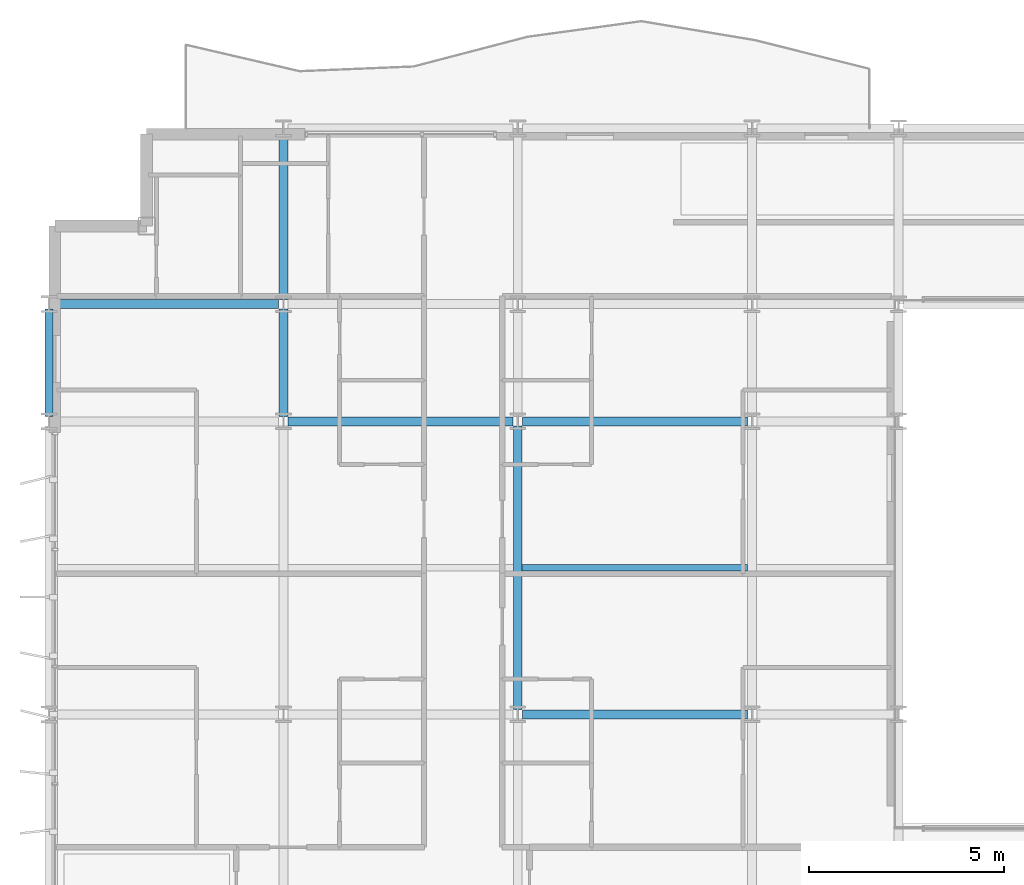
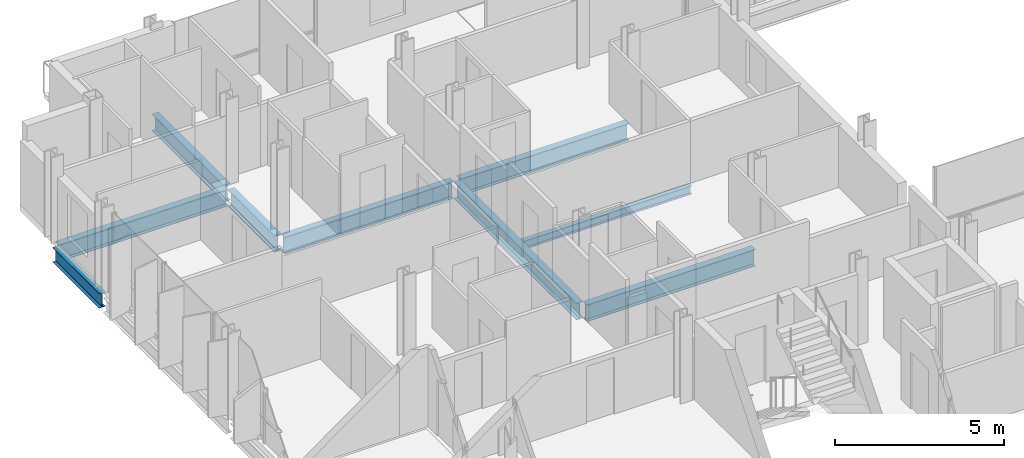
# One storey, part 6 of 39: 9 beams.
"""IFC4 building model written with IfcOpenShell, lengths in metres."""

from ifc_helpers import new_model, si_unit, direction, frame, origin, origin_2d, place, context, subcontext, project, spatial, i_section, extrude, material, material_profile, profile_set, type_object, element, save


model = new_model("IFC4")

# Units and contexts
model_context = context("Model", 3, precision=1e-05, world=origin(), true_north=direction((0.0, 1.0)))
body_context = subcontext(model_context, "Body", "Model", "MODEL_VIEW")
ifc_project = project(units=[si_unit("LENGTHUNIT", "METRE"), si_unit("AREAUNIT", "SQUARE_METRE"), si_unit("VOLUMEUNIT", "CUBIC_METRE"), si_unit("PLANEANGLEUNIT", "RADIAN"), si_unit("MASSUNIT", "GRAM", prefix="KILO")], contexts=[model_context])

# Site, building, storey
site_placement = place(None, origin())
site = spatial("IfcSite", under=ifc_project, at=site_placement, CompositionType="ELEMENT")
building_placement = place(site_placement, origin())
building = spatial("IfcBuilding", under=site, at=building_placement, Name="Brevholm Reach", CompositionType="ELEMENT")
storey_placement = place(building_placement, frame((0.0, 0.0, 109.699951171875)))
storey = spatial("IfcBuildingStorey", under=building, at=storey_placement, Name="L32", CompositionType="ELEMENT", Elevation=109.699951171875)

# Beams
ifc_material_1 = material(Name="Structural Steel S355J2", Category="steel")
ifc_material_profile_1 = material_profile(ifc_material_1, i_section(OverallWidth=0.1650390625, OverallDepth=0.303466796875, WebThickness=0.006103515625, FlangeThickness=0.01025390625, FilletRadius=0.0087890625, at=origin_2d()), Name="UKB 305x165x40")
ifc_profile_set_1 = profile_set([ifc_material_profile_1], Name="Structural Steel S355J2")
beam_type_1 = type_object("IfcBeamType", Name="BM-B305", PredefinedType="BEAM", material=ifc_profile_set_1)
beam_1_placement = place(storey_placement, frame((12.114501953125, 19.75, -0.37158203125), z_axis=(1.0, 0.0, 0.0), x_axis=(0.0, 1.0, 0.0)))
element("IfcBeam", 1, at=beam_1_placement, inside=storey, type_object=beam_type_1, Name="L32 Composite Secondary Floor Beam", PredefinedType="BEAM", context=body_context, shape_type="SweptSolid", body=[
    extrude(i_section(OverallWidth=0.1650390625, OverallDepth=0.303466796875, WebThickness=0.006103515625, FlangeThickness=0.01025390625, FilletRadius=0.0087890625, at=origin_2d()), origin(), (0.0, 0.0, 1.0), 5.77099609375),
])
ifc_material_2 = material(Name="Structural Steel S355J2", Category="steel")
ifc_material_profile_2 = material_profile(ifc_material_2, i_section(OverallWidth=0.209228515625, OverallDepth=0.533203125, WebThickness=0.010009765625, FlangeThickness=0.015625, FilletRadius=0.0126953125, at=origin_2d()), Name="UKB 533x210x92")
ifc_profile_set_2 = profile_set([ifc_material_profile_2], Name="Structural Steel S355J2")
beam_type_2 = type_object("IfcBeamType", Name="BM-SP533", PredefinedType="SPANDREL", material=ifc_profile_set_2)
beam_2_placement = place(storey_placement, frame((0.0, 23.6201171875, -0.486572265625), z_axis=(0.0, 1.0, 0.0), x_axis=(-1.0, 0.0, 0.0)))
element("IfcBeam", 2, at=beam_2_placement, inside=storey, type_object=beam_type_2, Name="L32 SP-02 Framing Beam", PredefinedType="SPANDREL", context=body_context, shape_type="SweptSolid", body=[
    extrude(i_section(OverallWidth=0.209228515625, OverallDepth=0.533203125, WebThickness=0.010009765625, FlangeThickness=0.015625, FilletRadius=0.0126953125, at=origin_2d()), origin(), (0.0, 0.0, 1.0), 2.759765625),
])
ifc_material_3 = material(Name="Structural Steel S355J2", Category="steel")
ifc_material_profile_3 = material_profile(ifc_material_3, i_section(OverallWidth=0.22900390625, OverallDepth=0.6123046875, WebThickness=0.011962890625, FlangeThickness=0.01953125, FilletRadius=0.0126953125, at=origin_2d()), Name="UKB 610x229x125")
ifc_profile_set_3 = profile_set([ifc_material_profile_3], Name="Structural Steel S355J2")
beam_type_3 = type_object("IfcBeamType", Name="BM-SP610", PredefinedType="SPANDREL", material=ifc_profile_set_3)
for number, where, z_axis, x_axis, name in (
    (3, (12.1201171875, 16.0, -0.526123046875), (1.0, 0.0, 0.0), (0.0, 1.0, 0.0), "L32 SP-01 Framing Beam"),
    (4, (6.1201171875, 23.5, -0.526123046875), (1.0, 0.0, 0.0), (0.0, 1.0, 0.0), "L32 SP-01 Framing Beam"),
    (5, (12.1201171875, 23.5, -0.526123046875), (1.0, 0.0, 0.0), (0.0, 1.0, 0.0), "L32 SP-01 Framing Beam"),
    (6, (0.1201171875, 26.5, -0.526123046875), (1.0, 0.0, 0.0), (0.0, 1.0, 0.0), "L32 SP-01 Framing Beam"),
):
    element("IfcBeam", number, at=place(storey_placement, frame(where, z_axis=z_axis, x_axis=x_axis)), inside=storey, type_object=beam_type_3, Name=name, PredefinedType="SPANDREL", context=body_context, shape_type="SweptSolid", body=[
        extrude(i_section(OverallWidth=0.22900390625, OverallDepth=0.6123046875, WebThickness=0.011962890625, FlangeThickness=0.01953125, FilletRadius=0.0126953125, at=origin_2d()), origin(), (0.0, 0.0, 1.0), 5.759765625),
    ])
beam_3_placement = place(storey_placement, frame((6.0, 23.6201171875, -0.526123046875), z_axis=(0.0, 1.0, 0.0), x_axis=(-1.0, 0.0, 0.0)))
element("IfcBeam", 7, at=beam_3_placement, inside=storey, type_object=beam_type_3, Name="L32 SP-01 Framing Beam", PredefinedType="SPANDREL", context=body_context, shape_type="SweptSolid", body=[
    extrude(i_section(OverallWidth=0.22900390625, OverallDepth=0.6123046875, WebThickness=0.011962890625, FlangeThickness=0.01953125, FilletRadius=0.0126953125, at=origin_2d()), origin(), (0.0, 0.0, 1.0), 2.759765625),
])
beam_4_placement = place(storey_placement, frame((6.0, 26.6201171875, -0.526123046875), z_axis=(0.0, 1.0, 0.0), x_axis=(-1.0, 0.0, 0.0)))
element("IfcBeam", 8, at=beam_4_placement, inside=storey, type_object=beam_type_3, Name="L32 SP-01 Framing Beam", PredefinedType="SPANDREL", context=body_context, shape_type="SweptSolid", body=[
    extrude(i_section(OverallWidth=0.22900390625, OverallDepth=0.6123046875, WebThickness=0.011962890625, FlangeThickness=0.01953125, FilletRadius=0.0126953125, at=origin_2d()), origin(), (0.0, 0.0, 1.0), 4.259765625),
])
beam_5_placement = place(storey_placement, frame((12.0, 16.1201171875, -0.526123046875), z_axis=(0.0, 1.0, 0.0), x_axis=(-1.0, 0.0, 0.0)))
element("IfcBeam", 9, at=beam_5_placement, inside=storey, type_object=beam_type_3, Name="L32 SP-01 Framing Beam", PredefinedType="SPANDREL", context=body_context, shape_type="SweptSolid", body=[
    extrude(i_section(OverallWidth=0.22900390625, OverallDepth=0.6123046875, WebThickness=0.011962890625, FlangeThickness=0.01953125, FilletRadius=0.0126953125, at=origin_2d()), origin(), (0.0, 0.0, 1.0), 7.259765625),
])

save(model, "model.ifc")
